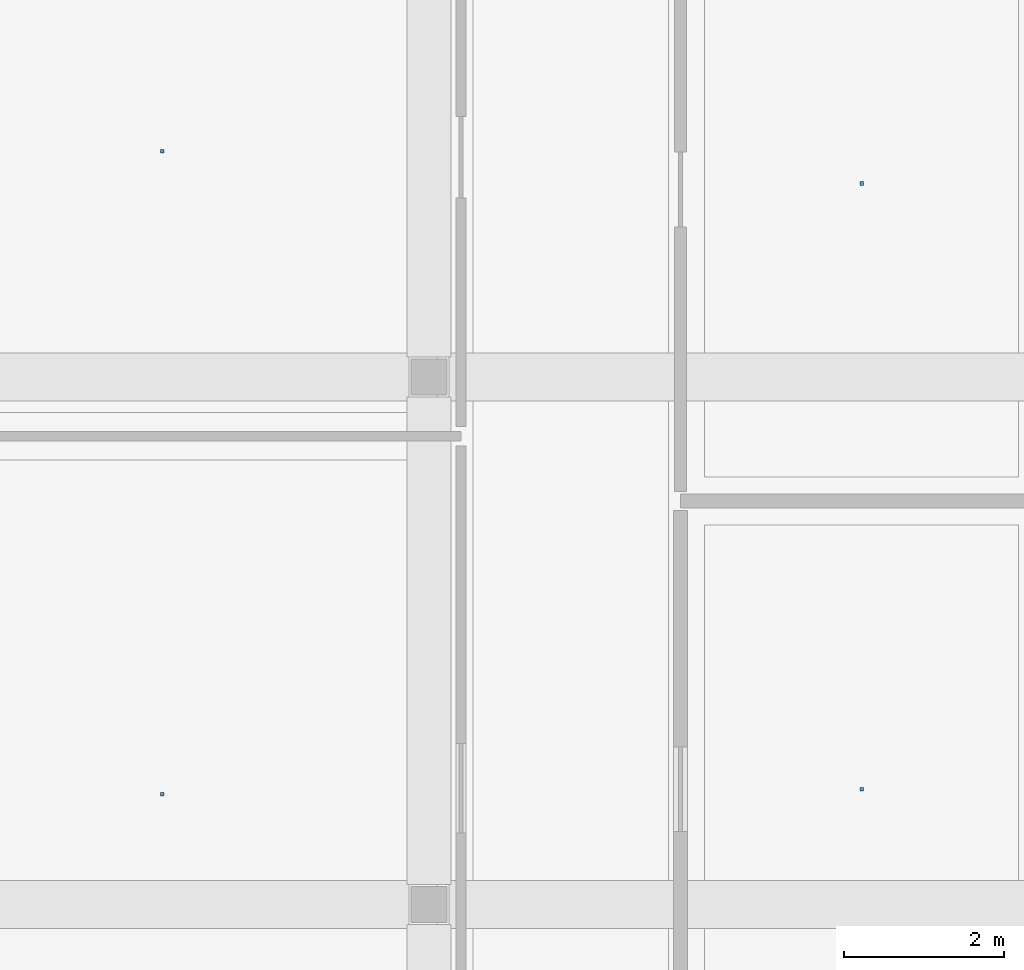
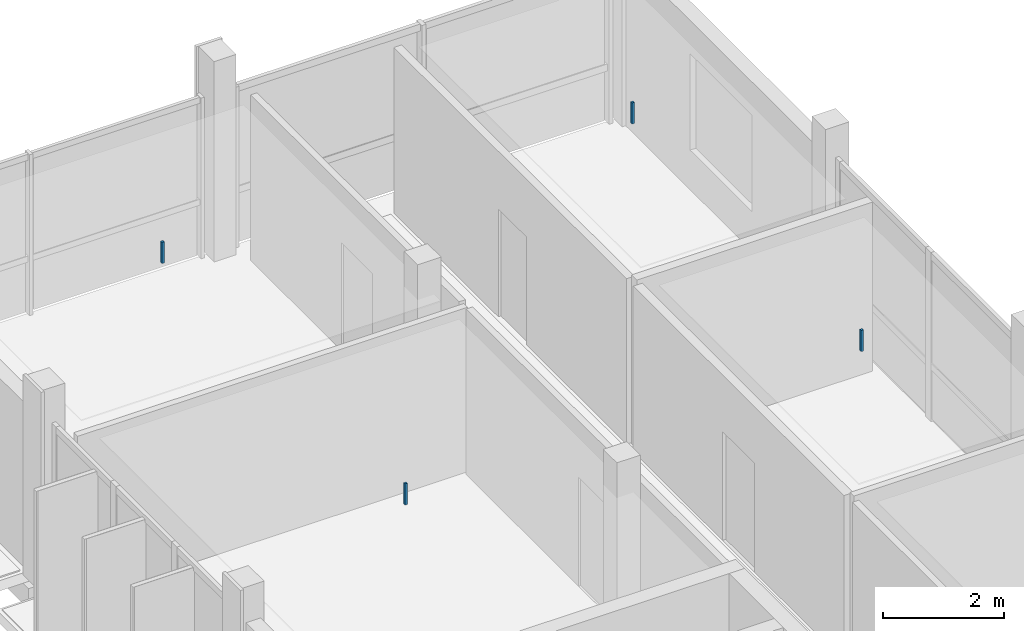
# One storey, part 69 of 86: 4 discrete accessories.
"""IFC4 building model written with IfcOpenShell, lengths in metres."""

from ifc_helpers import new_model, si_unit, derived_unit, direction, frame, origin, origin_2d, place, context, subcontext, project, spatial, rectangle, extrude, material, type_object, element, save


model = new_model("IFC4")

# Units and contexts
model_context = context("Model", 3, precision=1e-05, world=origin(), true_north=direction((0.0, 1.0)))
body_context = subcontext(model_context, "Body", "Model", "MODEL_VIEW")
ifc_project = project(units=[si_unit("LENGTHUNIT", "METRE"), si_unit("AREAUNIT", "SQUARE_METRE"), si_unit("VOLUMEUNIT", "CUBIC_METRE"), si_unit("PLANEANGLEUNIT", "RADIAN"), si_unit("MASSUNIT", "GRAM", prefix="KILO"), derived_unit("THERMALTRANSMITTANCEUNIT", [(si_unit("POWERUNIT", "WATT"), 1), (si_unit("LENGTHUNIT", "METRE"), -2), (si_unit("THERMODYNAMICTEMPERATUREUNIT", "KELVIN"), -1)])], contexts=[model_context])

# Site, building, storey
site_placement = place(None, origin())
site = spatial("IfcSite", under=ifc_project, at=site_placement, CompositionType="ELEMENT")
building_placement = place(site_placement, origin())
building = spatial("IfcBuilding", under=site, at=building_placement, Name="Braskholm Square Health Centre", CompositionType="ELEMENT")
storey_placement = place(building_placement, frame((0.0, 0.0, 13.5)))
storey = spatial("IfcBuildingStorey", under=building, at=storey_placement, Name="L04", CompositionType="ELEMENT", Elevation=13.5)

# Discrete accessories
ifc_material = material(Name="Steel ASTM A500 Grade C", Category="steel")
discrete_accessory_type = type_object("IfcDiscreteAccessoryType", Name="CeilingSuspensionBracket", PredefinedType="BRACKET", material=ifc_material)
for number, where, z_axis, x_axis, name in (
    (1, (8.06005859375, 101.780029296875, 3.33203125), (0.0, 0.0, 1.0), (1.0, 0.0, 0.0), "Ceiling hanger bracket 0068"),
    (2, (8.06005859375, 109.830078125, 3.33203125), (0.0, 0.0, 1.0), (1.0, 0.0, 0.0), "Ceiling hanger bracket 0069"),
    (3, (16.81494140625, 101.840087890625, 3.33203125), (0.0, 0.0, 1.0), (1.0, 0.0, 0.0), "Ceiling hanger bracket 0077"),
    (4, (16.81494140625, 109.425048828125, 3.33203125), (0.0, 0.0, 1.0), (1.0, 0.0, 0.0), "Ceiling hanger bracket 0078"),
):
    element("IfcDiscreteAccessory", number, at=place(storey_placement, frame(where, z_axis=z_axis, x_axis=x_axis)), inside=storey, type_object=discrete_accessory_type, Name=name, PredefinedType="BRACKET", context=body_context, shape_type="SweptSolid", body=[
        extrude(rectangle(XDim=0.044921875, YDim=0.044921875, at=origin_2d()), origin(), (0.0, 0.0, 1.0), 0.429931640625),
    ])

save(model, "model.ifc")
